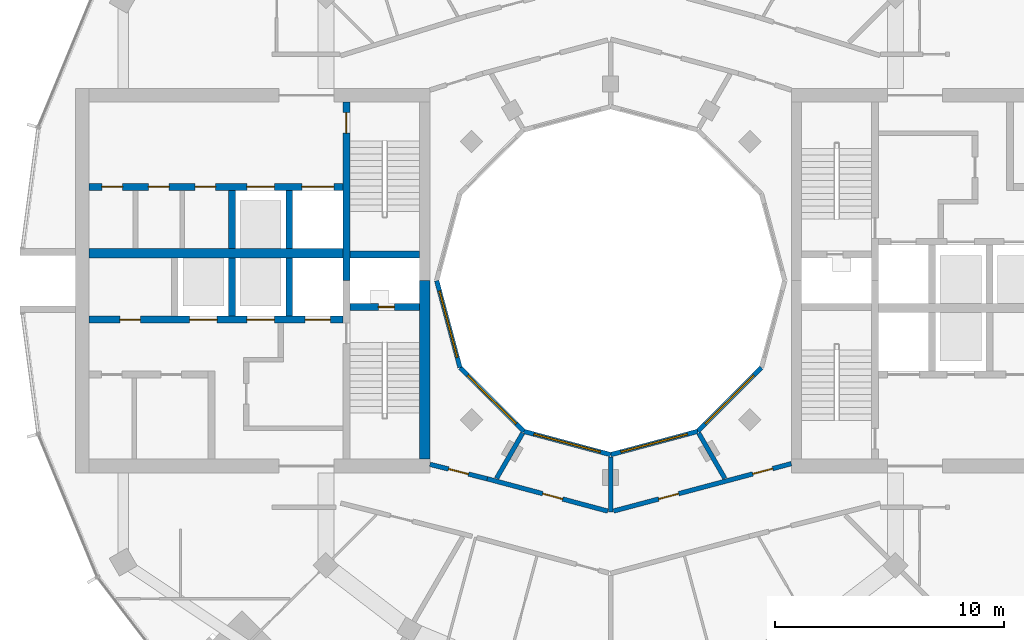
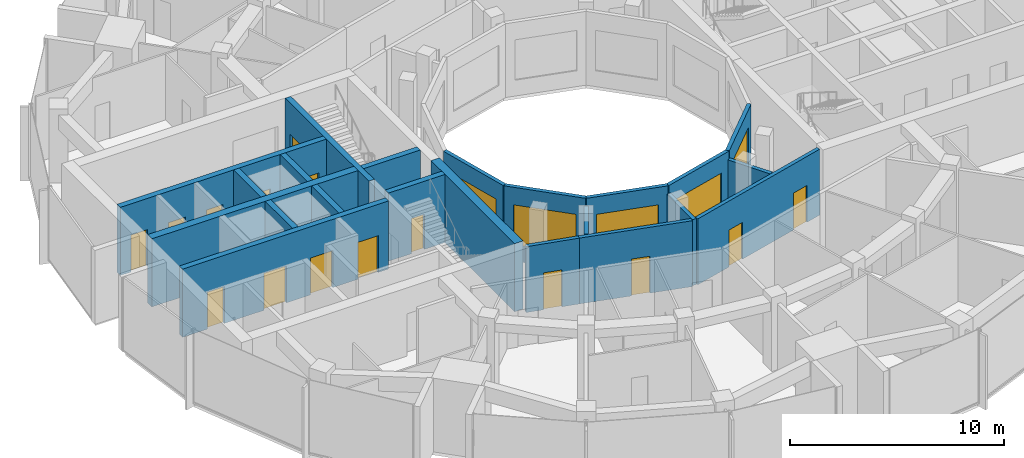
# One storey, part 9 of 15: 22 walls, 15 doors, 5 windows, 20 openings.
"""IFC4 building model written with IfcOpenShell, lengths in metres."""

from ifc_helpers import new_model, si_unit, direction, frame, frame_2d, origin, place, context, subcontext, project, spatial, rectangle, extrude, material, layer, layer_set, type_object, element, fill, save


model = new_model("IFC4")

# Units and contexts
model_context = context("Model", 3, precision=1e-05, world=origin(), true_north=direction((0.0, 1.0)))
body_context = subcontext(model_context, "Body", "Model", "MODEL_VIEW")
ifc_project = project(units=[si_unit("LENGTHUNIT", "METRE"), si_unit("AREAUNIT", "SQUARE_METRE"), si_unit("VOLUMEUNIT", "CUBIC_METRE"), si_unit("PLANEANGLEUNIT", "RADIAN"), si_unit("MASSUNIT", "GRAM", prefix="KILO")], contexts=[model_context])

# Site, building, storey
site_placement = place(None, origin())
site = spatial("IfcSite", under=ifc_project, at=site_placement, CompositionType="ELEMENT")
building_placement = place(site_placement, origin())
building = spatial("IfcBuilding", under=site, at=building_placement, Name="Torre Brocal", CompositionType="ELEMENT")
storey_placement = place(building_placement, frame((0.0, 0.0, 220.89990234375)))
storey = spatial("IfcBuildingStorey", under=building, at=storey_placement, Name="L51", CompositionType="ELEMENT", Elevation=220.89990234375)

# Wall, opening, door
ifc_material_1 = material(Name="Concrete C60", Category="concrete")
ifc_layer_1 = layer(ifc_material_1, 0.300048828125)
ifc_layer_set_1 = layer_set([ifc_layer_1], Name="Concrete C60")
wall_type_1 = type_object("IfcWallType", Name="CORE WALL 300 C60", PredefinedType="SHEAR", material=ifc_layer_set_1)
wall_1_placement = place(storey_placement, frame((68.449951171875, 82.800048828125, 0.0), z_axis=(0.0, 0.0, 1.0), x_axis=(0.0, -1.0, 0.0)))
wall_1 = element("IfcWall", 1, at=wall_1_placement, inside=storey, type_object=wall_type_1, Name="Wall CW300-60", PredefinedType="SHEAR", context=body_context, shape_type="SweptSolid", body=[
    extrude(rectangle(XDim=7.800048828125, YDim=0.300048828125, at=frame_2d((3.89990234375, 0.0))), origin(), (0.0, 0.0, 1.0), 3.880126953125),
])
opening_1_placement = place(wall_1_placement, frame((0.449951171875, 0.0, 0.0)))
opening_1 = element("IfcOpeningElement", 2, at=opening_1_placement, cuts=wall_1, Name="Opening W-D03", PredefinedType="OPENING", context=body_context, shape_type="SweptSolid", body=[
    extrude(rectangle(XDim=0.89990234375, YDim=2.10009765625, at=frame_2d((0.449951171875, 1.050048828125))), frame((0.0, 0.159912109375, 0.0), z_axis=(0.0, -1.0, 0.0), x_axis=(1.0, 0.0, 0.0)), (0.0, 0.0, 1.0), 0.320068359375),
])
ifc_material_2 = material(Name="Steel A653", Category="steel")
door_type_1 = type_object("IfcDoorType", Name="STAIR DOOR FD120 900X2100", OperationType="SINGLE_SWING_RIGHT", PredefinedType="DOOR", material=ifc_material_2)
door_1_placement = place(opening_1_placement, origin())
door_1 = element("IfcDoor", 3, at=door_1_placement, inside=storey, type_object=door_type_1, Name="Door W-D03", OperationType="SINGLE_SWING_LEFT", OverallHeight=2.10009765625, OverallWidth=0.89990234375, PredefinedType="DOOR", context=body_context, shape_type="SweptSolid", body=[
    extrude(rectangle(XDim=0.89990234375, YDim=2.10009765625, at=frame_2d((0.449951171875, 1.050048828125))), frame((0.0, 0.02490234375, 0.0), z_axis=(0.0, -1.0, 0.0), x_axis=(1.0, 0.0, 0.0)), (0.0, 0.0, 1.0), 0.050048828125),
])
fill(opening_1, door_1)

wall_2_placement = place(storey_placement, frame((71.64990234375, 73.85009765625, 0.0), z_axis=(0.0, 0.0, 1.0), x_axis=(-1.0, 0.0, 0.0)))
wall_2 = element("IfcWall", 4, at=wall_2_placement, inside=storey, type_object=wall_type_1, Name="Wall CW300-60", PredefinedType="SHEAR", context=body_context, shape_type="SweptSolid", body=[
    extrude(rectangle(XDim=3.0498046875, YDim=0.300048828125, at=frame_2d((1.52490234375, 0.0))), origin(), (0.0, 0.0, 1.0), 3.880126953125),
])
opening_2_placement = place(wall_2_placement, frame((1.10009765625, 0.0, 0.0)))
opening_2 = element("IfcOpeningElement", 5, at=opening_2_placement, cuts=wall_2, Name="Opening W-D01", PredefinedType="OPENING", context=body_context, shape_type="SweptSolid", body=[
    extrude(rectangle(XDim=0.699951171875, YDim=2.0, at=frame_2d((0.35009765625, 1.0))), frame((0.0, 0.159912109375, 0.0), z_axis=(0.0, -1.0, 0.0), x_axis=(1.0, 0.0, 0.0)), (0.0, 0.0, 1.0), 0.320068359375),
])
ifc_material_3 = material(Name="Steel A653", Category="steel")
door_type_2 = type_object("IfcDoorType", Name="RISER DOOR FD120 700X2000", OperationType="SINGLE_SWING_LEFT", PredefinedType="DOOR", material=ifc_material_3)
door_2_placement = place(opening_2_placement, frame((0.699951171875, 0.0, 0.0), z_axis=(0.0, 0.0, 1.0), x_axis=(-1.0, 0.0, 0.0)))
door_2 = element("IfcDoor", 6, at=door_2_placement, inside=storey, type_object=door_type_2, Name="Door W-D01", OperationType="SINGLE_SWING_RIGHT", OverallHeight=2.0, OverallWidth=0.699951171875, PredefinedType="DOOR", context=body_context, shape_type="SweptSolid", body=[
    extrude(rectangle(XDim=0.699951171875, YDim=2.0, at=frame_2d((0.35009765625, 1.0))), frame((0.0, 0.02490234375, 0.0), z_axis=(0.0, -1.0, 0.0), x_axis=(1.0, 0.0, 0.0)), (0.0, 0.0, 1.0), 0.050048828125),
])
fill(opening_2, door_2)

# Wall
wall_3_placement = place(storey_placement, frame((71.64990234375, 76.14990234375, 0.0), z_axis=(0.0, 0.0, 1.0), x_axis=(-1.0, 0.0, 0.0)))
element("IfcWall", 7, at=wall_3_placement, inside=storey, type_object=wall_type_1, Name="Wall CW300-60", PredefinedType="SHEAR", context=body_context, shape_type="SweptSolid", body=[
    extrude(rectangle(XDim=3.0498046875, YDim=0.300048828125, at=frame_2d((1.52490234375, 0.0))), origin(), (0.0, 0.0, 1.0), 3.880126953125),
])

# Wall, openings, doors
wall_4_placement = place(storey_placement, frame((68.300048828125, 73.300048828125, 0.0), z_axis=(0.0, 0.0, 1.0), x_axis=(-1.0, 0.0, 0.0)))
wall_4 = element("IfcWall", 8, at=wall_4_placement, inside=storey, type_object=wall_type_1, Name="Wall CW300-60", PredefinedType="SHEAR", context=body_context, shape_type="SweptSolid", body=[
    extrude(rectangle(XDim=11.10009765625, YDim=0.300048828125, at=frame_2d((5.550048828125, 0.0))), origin(), (0.0, 0.0, 1.0), 3.880126953125),
])
opening_3_placement = place(wall_4_placement, frame((0.550048828125, 0.0, 0.0)))
opening_3 = element("IfcOpeningElement", 9, at=opening_3_placement, cuts=wall_4, Name="Opening LD", PredefinedType="OPENING", context=body_context, shape_type="SweptSolid", body=[
    extrude(rectangle(XDim=1.10009765625, YDim=2.10009765625, at=frame_2d((0.550048828125, 1.050048828125))), frame((0.0, 0.159912109375, 0.0), z_axis=(0.0, -1.0, 0.0), x_axis=(1.0, 0.0, 0.0)), (0.0, 0.0, 1.0), 0.320068359375),
])
opening_4_placement = place(wall_4_placement, frame((3.0, 0.0, 0.0)))
opening_4 = element("IfcOpeningElement", 10, at=opening_4_placement, cuts=wall_4, Name="Opening LD12", PredefinedType="OPENING", context=body_context, shape_type="SweptSolid", body=[
    extrude(rectangle(XDim=1.199951171875, YDim=2.10009765625, at=frame_2d((0.60009765625, 1.050048828125))), frame((0.0, 0.159912109375, 0.0), z_axis=(0.0, -1.0, 0.0), x_axis=(1.0, 0.0, 0.0)), (0.0, 0.0, 1.0), 0.320068359375),
])
opening_5_placement = place(wall_4_placement, frame((5.5, 0.0, 0.0)))
opening_5 = element("IfcOpeningElement", 11, at=opening_5_placement, cuts=wall_4, Name="Opening LD12", PredefinedType="OPENING", context=body_context, shape_type="SweptSolid", body=[
    extrude(rectangle(XDim=1.199951171875, YDim=2.10009765625, at=frame_2d((0.60009765625, 1.050048828125))), frame((0.0, 0.159912109375, 0.0), z_axis=(0.0, -1.0, 0.0), x_axis=(1.0, 0.0, 0.0)), (0.0, 0.0, 1.0), 0.320068359375),
])
opening_6_placement = place(wall_4_placement, frame((8.85009765625, 0.0, 0.0)))
opening_6 = element("IfcOpeningElement", 12, at=opening_6_placement, cuts=wall_4, Name="Opening W-D04", PredefinedType="OPENING", context=body_context, shape_type="SweptSolid", body=[
    extrude(rectangle(XDim=0.89990234375, YDim=2.10009765625, at=frame_2d((0.449951171875, 1.050048828125))), frame((0.0, 0.159912109375, 0.0), z_axis=(0.0, -1.0, 0.0), x_axis=(1.0, 0.0, 0.0)), (0.0, 0.0, 1.0), 0.320068359375),
])
ifc_material_4 = material(Name="Stainless steel AISI 316", Category="steel")
door_type_3 = type_object("IfcDoorType", Name="LIFT LANDING DOOR 1100X2100", OperationType="DOUBLE_DOOR_SLIDING", PredefinedType="DOOR", material=ifc_material_4)
door_3_placement = place(opening_3_placement, origin())
door_3 = element("IfcDoor", 13, at=door_3_placement, inside=storey, type_object=door_type_3, Name="Door LD", OperationType="DOUBLE_DOOR_SLIDING", OverallHeight=2.10009765625, OverallWidth=1.10009765625, PredefinedType="DOOR", context=body_context, shape_type="SweptSolid", body=[
    extrude(rectangle(XDim=1.10009765625, YDim=2.10009765625, at=frame_2d((0.550048828125, 1.050048828125))), frame((0.0, 0.02490234375, 0.0), z_axis=(0.0, -1.0, 0.0), x_axis=(1.0, 0.0, 0.0)), (0.0, 0.0, 1.0), 0.050048828125),
])
fill(opening_3, door_3)
ifc_material_5 = material(Name="Stainless steel AISI 316", Category="steel")
door_type_4 = type_object("IfcDoorType", Name="LIFT LANDING DOOR 1200X2100", OperationType="DOUBLE_DOOR_SLIDING", PredefinedType="DOOR", material=ifc_material_5)
door_4_placement = place(opening_4_placement, origin())
door_4 = element("IfcDoor", 14, at=door_4_placement, inside=storey, type_object=door_type_4, Name="Door LD12", OperationType="DOUBLE_DOOR_SLIDING", OverallHeight=2.10009765625, OverallWidth=1.199951171875, PredefinedType="DOOR", context=body_context, shape_type="SweptSolid", body=[
    extrude(rectangle(XDim=1.199951171875, YDim=2.10009765625, at=frame_2d((0.60009765625, 1.050048828125))), frame((0.0, 0.02490234375, 0.0), z_axis=(0.0, -1.0, 0.0), x_axis=(1.0, 0.0, 0.0)), (0.0, 0.0, 1.0), 0.050048828125),
])
fill(opening_4, door_4)
door_5_placement = place(opening_5_placement, origin())
door_5 = element("IfcDoor", 15, at=door_5_placement, inside=storey, type_object=door_type_4, Name="Door LD12", OperationType="DOUBLE_DOOR_SLIDING", OverallHeight=2.10009765625, OverallWidth=1.199951171875, PredefinedType="DOOR", context=body_context, shape_type="SweptSolid", body=[
    extrude(rectangle(XDim=1.199951171875, YDim=2.10009765625, at=frame_2d((0.60009765625, 1.050048828125))), frame((0.0, 0.02490234375, 0.0), z_axis=(0.0, -1.0, 0.0), x_axis=(1.0, 0.0, 0.0)), (0.0, 0.0, 1.0), 0.050048828125),
])
fill(opening_5, door_5)
ifc_material_6 = material(Name="Steel A653", Category="steel")
door_type_5 = type_object("IfcDoorType", Name="ROOM DOOR FD30S 900X2100", OperationType="SINGLE_SWING_LEFT", PredefinedType="DOOR", material=ifc_material_6)
door_6_placement = place(opening_6_placement, frame((0.89990234375, 0.0, 0.0), z_axis=(0.0, 0.0, 1.0), x_axis=(-1.0, 0.0, 0.0)))
door_6 = element("IfcDoor", 16, at=door_6_placement, inside=storey, type_object=door_type_5, Name="Door W-D04", OperationType="SINGLE_SWING_LEFT", OverallHeight=2.10009765625, OverallWidth=0.89990234375, PredefinedType="DOOR", context=body_context, shape_type="SweptSolid", body=[
    extrude(rectangle(XDim=0.89990234375, YDim=2.10009765625, at=frame_2d((0.449951171875, 1.050048828125))), frame((0.0, 0.02490234375, 0.0), z_axis=(0.0, -1.0, 0.0), x_axis=(1.0, 0.0, 0.0)), (0.0, 0.0, 1.0), 0.050048828125),
])
fill(opening_6, door_6)

wall_5_placement = place(storey_placement, frame((68.300048828125, 79.10009765625, 0.0), z_axis=(0.0, 0.0, 1.0), x_axis=(-1.0, 0.0, 0.0)))
wall_5 = element("IfcWall", 17, at=wall_5_placement, inside=storey, type_object=wall_type_1, Name="Wall CW300-60", PredefinedType="SHEAR", context=body_context, shape_type="SweptSolid", body=[
    extrude(rectangle(XDim=11.10009765625, YDim=0.300048828125, at=frame_2d((5.550048828125, 0.0))), origin(), (0.0, 0.0, 1.0), 3.880126953125),
])
opening_7_placement = place(wall_5_placement, frame((0.39990234375, 0.0, 0.0)))
opening_7 = element("IfcOpeningElement", 18, at=opening_7_placement, cuts=wall_5, Name="Opening LD14", PredefinedType="OPENING", context=body_context, shape_type="SweptSolid", body=[
    extrude(rectangle(XDim=1.39990234375, YDim=2.10009765625, at=frame_2d((0.699951171875, 1.050048828125))), frame((0.0, 0.159912109375, 0.0), z_axis=(0.0, -1.0, 0.0), x_axis=(1.0, 0.0, 0.0)), (0.0, 0.0, 1.0), 0.320068359375),
])
opening_8_placement = place(wall_5_placement, frame((3.0, 0.0, 0.0)))
opening_8 = element("IfcOpeningElement", 19, at=opening_8_placement, cuts=wall_5, Name="Opening LD12", PredefinedType="OPENING", context=body_context, shape_type="SweptSolid", body=[
    extrude(rectangle(XDim=1.199951171875, YDim=2.10009765625, at=frame_2d((0.60009765625, 1.050048828125))), frame((0.0, 0.159912109375, 0.0), z_axis=(0.0, -1.0, 0.0), x_axis=(1.0, 0.0, 0.0)), (0.0, 0.0, 1.0), 0.320068359375),
])
opening_9_placement = place(wall_5_placement, frame((5.566650390625, 0.0, 0.0)))
opening_9 = element("IfcOpeningElement", 20, at=opening_9_placement, cuts=wall_5, Name="Opening W-D05", PredefinedType="OPENING", context=body_context, shape_type="SweptSolid", body=[
    extrude(rectangle(XDim=0.89990234375, YDim=2.10009765625, at=frame_2d((0.449951171875, 1.050048828125))), frame((0.0, 0.159912109375, 0.0), z_axis=(0.0, -1.0, 0.0), x_axis=(1.0, 0.0, 0.0)), (0.0, 0.0, 1.0), 0.320068359375),
])
opening_10_placement = place(wall_5_placement, frame((7.60009765625, 0.0, 0.0)))
opening_10 = element("IfcOpeningElement", 21, at=opening_10_placement, cuts=wall_5, Name="Opening W-D06", PredefinedType="OPENING", context=body_context, shape_type="SweptSolid", body=[
    extrude(rectangle(XDim=0.89990234375, YDim=2.10009765625, at=frame_2d((0.449951171875, 1.050048828125))), frame((0.0, 0.159912109375, 0.0), z_axis=(0.0, -1.0, 0.0), x_axis=(1.0, 0.0, 0.0)), (0.0, 0.0, 1.0), 0.320068359375),
])
opening_11_placement = place(wall_5_placement, frame((9.63330078125, 0.0, 0.0)))
opening_11 = element("IfcOpeningElement", 22, at=opening_11_placement, cuts=wall_5, Name="Opening W-D07", PredefinedType="OPENING", context=body_context, shape_type="SweptSolid", body=[
    extrude(rectangle(XDim=0.89990234375, YDim=2.10009765625, at=frame_2d((0.449951171875, 1.050048828125))), frame((0.0, 0.159912109375, 0.0), z_axis=(0.0, -1.0, 0.0), x_axis=(1.0, 0.0, 0.0)), (0.0, 0.0, 1.0), 0.320068359375),
])
door_7_placement = place(opening_8_placement, origin())
door_7 = element("IfcDoor", 23, at=door_7_placement, inside=storey, type_object=door_type_4, Name="Door LD12", OperationType="DOUBLE_DOOR_SLIDING", OverallHeight=2.10009765625, OverallWidth=1.199951171875, PredefinedType="DOOR", context=body_context, shape_type="SweptSolid", body=[
    extrude(rectangle(XDim=1.199951171875, YDim=2.10009765625, at=frame_2d((0.60009765625, 1.050048828125))), frame((0.0, 0.02490234375, 0.0), z_axis=(0.0, -1.0, 0.0), x_axis=(1.0, 0.0, 0.0)), (0.0, 0.0, 1.0), 0.050048828125),
])
fill(opening_8, door_7)
ifc_material_7 = material(Name="Stainless steel AISI 316", Category="steel")
door_type_6 = type_object("IfcDoorType", Name="LIFT LANDING DOOR 1400X2100", OperationType="DOUBLE_DOOR_SLIDING", PredefinedType="DOOR", material=ifc_material_7)
door_8_placement = place(opening_7_placement, origin())
door_8 = element("IfcDoor", 24, at=door_8_placement, inside=storey, type_object=door_type_6, Name="Door LD14", OperationType="DOUBLE_DOOR_SLIDING", OverallHeight=2.10009765625, OverallWidth=1.39990234375, PredefinedType="DOOR", context=body_context, shape_type="SweptSolid", body=[
    extrude(rectangle(XDim=1.39990234375, YDim=2.10009765625, at=frame_2d((0.699951171875, 1.050048828125))), frame((0.0, 0.02490234375, 0.0), z_axis=(0.0, -1.0, 0.0), x_axis=(1.0, 0.0, 0.0)), (0.0, 0.0, 1.0), 0.050048828125),
])
fill(opening_7, door_8)
door_9_placement = place(opening_9_placement, origin())
door_9 = element("IfcDoor", 25, at=door_9_placement, inside=storey, type_object=door_type_5, Name="Door W-D05", OperationType="SINGLE_SWING_RIGHT", OverallHeight=2.10009765625, OverallWidth=0.89990234375, PredefinedType="DOOR", context=body_context, shape_type="SweptSolid", body=[
    extrude(rectangle(XDim=0.89990234375, YDim=2.10009765625, at=frame_2d((0.449951171875, 1.050048828125))), frame((0.0, 0.02490234375, 0.0), z_axis=(0.0, -1.0, 0.0), x_axis=(1.0, 0.0, 0.0)), (0.0, 0.0, 1.0), 0.050048828125),
])
fill(opening_9, door_9)
door_10_placement = place(opening_10_placement, origin())
door_10 = element("IfcDoor", 26, at=door_10_placement, inside=storey, type_object=door_type_5, Name="Door W-D06", OperationType="SINGLE_SWING_RIGHT", OverallHeight=2.10009765625, OverallWidth=0.89990234375, PredefinedType="DOOR", context=body_context, shape_type="SweptSolid", body=[
    extrude(rectangle(XDim=0.89990234375, YDim=2.10009765625, at=frame_2d((0.449951171875, 1.050048828125))), frame((0.0, 0.02490234375, 0.0), z_axis=(0.0, -1.0, 0.0), x_axis=(1.0, 0.0, 0.0)), (0.0, 0.0, 1.0), 0.050048828125),
])
fill(opening_10, door_10)
door_11_placement = place(opening_11_placement, origin())
door_11 = element("IfcDoor", 27, at=door_11_placement, inside=storey, type_object=door_type_5, Name="Door W-D07", OperationType="SINGLE_SWING_LEFT", OverallHeight=2.10009765625, OverallWidth=0.89990234375, PredefinedType="DOOR", context=body_context, shape_type="SweptSolid", body=[
    extrude(rectangle(XDim=0.89990234375, YDim=2.10009765625, at=frame_2d((0.449951171875, 1.050048828125))), frame((0.0, 0.02490234375, 0.0), z_axis=(0.0, -1.0, 0.0), x_axis=(1.0, 0.0, 0.0)), (0.0, 0.0, 1.0), 0.050048828125),
])
fill(opening_11, door_11)

# Walls
for number, where, z_axis, x_axis, name in (
    (28, (65.949951171875, 76.0, 0.0), (0.0, 0.0, 1.0), (0.0, -1.0, 0.0), "Wall CW300-60"),
    (29, (63.449951171875, 76.0, 0.0), (0.0, 0.0, 1.0), (0.0, -1.0, 0.0), "Wall CW300-60"),
    (30, (65.949951171875, 78.949951171875, 0.0), (0.0, 0.0, 1.0), (0.0, -1.0, 0.0), "Wall CW300-60"),
    (31, (63.449951171875, 78.949951171875, 0.0), (0.0, 0.0, 1.0), (0.0, -1.0, 0.0), "Wall CW300-60"),
):
    element("IfcWall", number, at=place(storey_placement, frame(where, z_axis=z_axis, x_axis=x_axis)), inside=storey, type_object=wall_type_1, Name=name, PredefinedType="SHEAR", context=body_context, shape_type="SweptSolid", body=[
        extrude(rectangle(XDim=2.550048828125, YDim=0.300048828125, at=frame_2d((1.27490234375, 0.0))), origin(), (0.0, 0.0, 1.0), 3.880126953125),
    ])
ifc_material_8 = material(Name="Concrete C60", Category="concrete")
ifc_layer_2 = layer(ifc_material_8, 0.39990234375)
ifc_layer_set_2 = layer_set([ifc_layer_2], Name="Concrete C60")
wall_type_2 = type_object("IfcWallType", Name="CORE WALL 400 C60", PredefinedType="SHEAR", material=ifc_layer_set_2)
wall_6_placement = place(storey_placement, frame((68.300048828125, 76.199951171875, 0.0), z_axis=(0.0, 0.0, 1.0), x_axis=(-1.0, 0.0, 0.0)))
element("IfcWall", 32, at=wall_6_placement, inside=storey, type_object=wall_type_2, Name="Wall CW400-60", PredefinedType="SHEAR", context=body_context, shape_type="SweptSolid", body=[
    extrude(rectangle(XDim=11.10009765625, YDim=0.39990234375, at=frame_2d((5.550048828125, 0.0))), origin(), (0.0, 0.0, 1.0), 3.880126953125),
])
ifc_material_9 = material(Name="Concrete C60", Category="concrete")
ifc_layer_3 = layer(ifc_material_9, 0.449951171875)
ifc_layer_set_3 = layer_set([ifc_layer_3], Name="Concrete C60")
wall_type_3 = type_object("IfcWallType", Name="CORE WALL 450 C60", PredefinedType="SHEAR", material=ifc_layer_set_3)
wall_7_placement = place(storey_placement, frame((71.875, 75.0, 0.0), z_axis=(0.0, 0.0, 1.0), x_axis=(0.0, -1.0, 0.0)))
element("IfcWall", 33, at=wall_7_placement, inside=storey, type_object=wall_type_3, Name="Wall CW450-60", PredefinedType="SHEAR", context=body_context, shape_type="SweptSolid", body=[
    extrude(rectangle(XDim=7.800048828125, YDim=0.449951171875, at=frame_2d((3.89990234375, 0.0))), origin(), (0.0, 0.0, 1.0), 3.880126953125),
])

# Wall, opening, door
ifc_material_10 = material(Name="Gypsum board", Category="Gypsum")
ifc_layer_4 = layer(ifc_material_10, 0.199951171875)
ifc_layer_set_4 = layer_set([ifc_layer_4], Name="Gypsum board")
wall_type_4 = type_object("IfcWallType", Name="PARTITION 200 EI60", PredefinedType="PARTITIONING", material=ifc_layer_set_4)
wall_8_placement = place(storey_placement, frame((72.10009765625, 66.97509765625, 0.0), z_axis=(0.0, 0.0, 1.0), x_axis=(0.969471314457, -0.245204752086, 0.0)))
wall_8 = element("IfcWall", 34, at=wall_8_placement, inside=storey, type_object=wall_type_4, Name="CORRIDOR WALL", PredefinedType="PARTITIONING", context=body_context, shape_type="SweptSolid", body=[
    extrude(rectangle(XDim=2.581787109375, YDim=0.199951171875, at=frame_2d((1.291015625, 0.0))), origin(), (0.0, 0.0, 1.0), 3.75),
])
opening_12_placement = place(wall_8_placement, frame((0.8408203125, 0.0, 0.0)))
opening_12 = element("IfcOpeningElement", 35, at=opening_12_placement, cuts=wall_8, Name="Opening B02-D41", PredefinedType="OPENING", context=body_context, shape_type="SweptSolid", body=[
    extrude(rectangle(XDim=0.89990234375, YDim=2.10009765625, at=frame_2d((0.449951171875, 1.050048828125))), frame((0.0, 0.10986328125, 0.0), z_axis=(0.0, -1.0, 0.0), x_axis=(1.0, 0.0, 0.0)), (0.0, 0.0, 1.0), 0.219970703125),
])
ifc_material_11 = material(Name="Timber", Category="wood")
door_type_7 = type_object("IfcDoorType", Name="ROOM DOOR 900X2100", OperationType="SINGLE_SWING_LEFT", PredefinedType="DOOR", material=ifc_material_11)
door_12_placement = place(opening_12_placement, origin())
door_12 = element("IfcDoor", 36, at=door_12_placement, inside=storey, type_object=door_type_7, Name="B02-D41", OperationType="SINGLE_SWING_LEFT", OverallHeight=2.10009765625, OverallWidth=0.89990234375, PredefinedType="DOOR", context=body_context, shape_type="SweptSolid", body=[
    extrude(rectangle(XDim=0.89990234375, YDim=2.10009765625, at=frame_2d((0.449951171875, 1.050048828125))), frame((0.0, 0.02490234375, 0.0), z_axis=(0.0, -1.0, 0.0), x_axis=(1.0, 0.0, 0.0)), (0.0, 0.0, 1.0), 0.050048828125),
])
fill(opening_12, door_12)

wall_9_placement = place(storey_placement, frame((74.60302734375, 66.342041015625, 0.0), z_axis=(0.0, 0.0, 1.0), x_axis=(0.965920893652, -0.258837453254, 0.0)))
wall_9 = element("IfcWall", 37, at=wall_9_placement, inside=storey, type_object=wall_type_4, Name="CORRIDOR WALL", PredefinedType="PARTITIONING", context=body_context, shape_type="SweptSolid", body=[
    extrude(rectangle(XDim=5.45751953125, YDim=0.199951171875, at=frame_2d((2.728759765625, 0.0))), origin(), (0.0, 0.0, 1.0), 3.75),
])
opening_13_placement = place(wall_9_placement, frame((2.512451171875, 0.0, 0.0)))
opening_13 = element("IfcOpeningElement", 38, at=opening_13_placement, cuts=wall_9, Name="Opening B02-D40", PredefinedType="OPENING", context=body_context, shape_type="SweptSolid", body=[
    extrude(rectangle(XDim=0.89990234375, YDim=2.10009765625, at=frame_2d((0.449951171875, 1.050048828125))), frame((0.0, 0.10986328125, 0.0), z_axis=(0.0, -1.0, 0.0), x_axis=(1.0, 0.0, 0.0)), (0.0, 0.0, 1.0), 0.219970703125),
])
door_13_placement = place(opening_13_placement, origin())
door_13 = element("IfcDoor", 39, at=door_13_placement, inside=storey, type_object=door_type_7, Name="B02-D40", OperationType="SINGLE_SWING_LEFT", OverallHeight=2.10009765625, OverallWidth=0.89990234375, PredefinedType="DOOR", context=body_context, shape_type="SweptSolid", body=[
    extrude(rectangle(XDim=0.89990234375, YDim=2.10009765625, at=frame_2d((0.449951171875, 1.050048828125))), frame((0.0, 0.02490234375, 0.0), z_axis=(0.0, -1.0, 0.0), x_axis=(1.0, 0.0, 0.0)), (0.0, 0.0, 1.0), 0.050048828125),
])
fill(opening_13, door_13)

# Wall
wall_10_placement = place(storey_placement, frame((75.013671875, 66.3623046875, 0.0), z_axis=(0.0, 0.0, 1.0), x_axis=(0.500143511652, 0.865942531438, 0.0)))
element("IfcWall", 40, at=wall_10_placement, inside=storey, type_object=wall_type_4, Name="SERVICE ROOM WALL", PredefinedType="PARTITIONING", context=body_context, shape_type="SweptSolid", body=[
    extrude(rectangle(XDim=2.275146484375, YDim=0.199951171875, at=frame_2d((1.1376953125, 0.0))), origin(), (0.0, 0.0, 1.0), 3.75),
])

# Wall, openings, doors
wall_11_placement = place(storey_placement, frame((80.125, 64.931640625, 0.0), z_axis=(0.0, 0.0, 1.0), x_axis=(0.966236955806, 0.257655089674, 0.0)))
wall_11 = element("IfcWall", 41, at=wall_11_placement, inside=storey, type_object=wall_type_4, Name="CORRIDOR WALL", PredefinedType="PARTITIONING", context=body_context, shape_type="SweptSolid", body=[
    extrude(rectangle(XDim=8.0390625, YDim=0.199951171875, at=frame_2d((4.01953125, 0.0))), origin(), (0.0, 0.0, 1.0), 3.75),
])
opening_14_placement = place(wall_11_placement, frame((6.298095703125, 0.0, 0.0)))
opening_14 = element("IfcOpeningElement", 42, at=opening_14_placement, cuts=wall_11, Name="Opening B02-D38", PredefinedType="OPENING", context=body_context, shape_type="SweptSolid", body=[
    extrude(rectangle(XDim=0.89990234375, YDim=2.10009765625, at=frame_2d((0.449951171875, 1.050048828125))), frame((0.0, 0.10986328125, 0.0), z_axis=(0.0, -1.0, 0.0), x_axis=(1.0, 0.0, 0.0)), (0.0, 0.0, 1.0), 0.219970703125),
])
opening_15_placement = place(wall_11_placement, frame((2.044921875, 0.0, 0.0)))
opening_15 = element("IfcOpeningElement", 43, at=opening_15_placement, cuts=wall_11, Name="Opening B02-D39", PredefinedType="OPENING", context=body_context, shape_type="SweptSolid", body=[
    extrude(rectangle(XDim=0.89990234375, YDim=2.10009765625, at=frame_2d((0.449951171875, 1.050048828125))), frame((0.0, 0.10986328125, 0.0), z_axis=(0.0, -1.0, 0.0), x_axis=(1.0, 0.0, 0.0)), (0.0, 0.0, 1.0), 0.219970703125),
])
door_14_placement = place(opening_14_placement, origin())
door_14 = element("IfcDoor", 44, at=door_14_placement, inside=storey, type_object=door_type_7, Name="B02-D38", OperationType="SINGLE_SWING_RIGHT", OverallHeight=2.10009765625, OverallWidth=0.89990234375, PredefinedType="DOOR", context=body_context, shape_type="SweptSolid", body=[
    extrude(rectangle(XDim=0.89990234375, YDim=2.10009765625, at=frame_2d((0.449951171875, 1.050048828125))), frame((0.0, 0.02490234375, 0.0), z_axis=(0.0, -1.0, 0.0), x_axis=(1.0, 0.0, 0.0)), (0.0, 0.0, 1.0), 0.050048828125),
])
fill(opening_14, door_14)
door_15_placement = place(opening_15_placement, origin())
door_15 = element("IfcDoor", 45, at=door_15_placement, inside=storey, type_object=door_type_7, Name="B02-D39", OperationType="SINGLE_SWING_RIGHT", OverallHeight=2.10009765625, OverallWidth=0.89990234375, PredefinedType="DOOR", context=body_context, shape_type="SweptSolid", body=[
    extrude(rectangle(XDim=0.89990234375, YDim=2.10009765625, at=frame_2d((0.449951171875, 1.050048828125))), frame((0.0, 0.02490234375, 0.0), z_axis=(0.0, -1.0, 0.0), x_axis=(1.0, 0.0, 0.0)), (0.0, 0.0, 1.0), 0.050048828125),
])
fill(opening_15, door_15)

# Walls
wall_12_placement = place(storey_placement, frame((80.0, 64.89599609375, 0.0), z_axis=(0.0, 0.0, 1.0), x_axis=(0.0, 1.0, 0.0)))
element("IfcWall", 46, at=wall_12_placement, inside=storey, type_object=wall_type_4, Name="SERVICE ROOM WALL", PredefinedType="PARTITIONING", context=body_context, shape_type="SweptSolid", body=[
    extrude(rectangle(XDim=2.405029296875, YDim=0.199951171875, at=frame_2d((1.20263671875, 0.0))), origin(), (0.0, 0.0, 1.0), 3.75),
])
wall_13_placement = place(storey_placement, frame((83.849609375, 68.333251953125, 0.0), z_axis=(0.0, 0.0, 1.0), x_axis=(0.500080019051, -0.865979199835, 0.0)))
element("IfcWall", 47, at=wall_13_placement, inside=storey, type_object=wall_type_4, Name="SERVICE ROOM WALL", PredefinedType="PARTITIONING", context=body_context, shape_type="SweptSolid", body=[
    extrude(rectangle(XDim=2.285400390625, YDim=0.199951171875, at=frame_2d((1.142578125, 0.0))), origin(), (0.0, 0.0, 1.0), 3.75),
])

# Wall, opening, window
ifc_material_12 = material(Name="Concrete C40", Category="concrete")
ifc_layer_5 = layer(ifc_material_12, 0.199951171875)
ifc_layer_set_5 = layer_set([ifc_layer_5], Name="Concrete C40")
wall_type_5 = type_object("IfcWallType", Name="WELL FACADE WALL 200", PredefinedType="NOTDEFINED", material=ifc_layer_set_5)
wall_14_placement = place(storey_placement, frame((72.396484375, 75.0, 0.0), z_axis=(0.0, 0.0, 1.0), x_axis=(0.258789828301, -0.965933654434, 0.0)))
wall_14 = element("IfcWall", 48, at=wall_14_placement, inside=storey, type_object=wall_type_5, Name="WELL FACADE WALL", PredefinedType="NOTDEFINED", context=body_context, shape_type="SweptSolid", body=[
    extrude(rectangle(XDim=3.935791015625, YDim=0.199951171875, at=frame_2d((1.9677734375, 0.0))), origin(), (0.0, 0.0, 1.0), 4.2001953125),
])
opening_16_placement = place(wall_14_placement, frame((0.468017578125, 0.0, 0.89990234375)))
opening_16 = element("IfcOpeningElement", 49, at=opening_16_placement, cuts=wall_14, Name="Opening W1", PredefinedType="OPENING", context=body_context, shape_type="SweptSolid", body=[
    extrude(rectangle(XDim=3.0, YDim=2.300048828125, at=frame_2d((1.5, 1.14990234375))), frame((0.0, 0.10986328125, 0.0), z_axis=(0.0, -1.0, 0.0), x_axis=(1.0, 0.0, 0.0)), (0.0, 0.0, 1.0), 0.219970703125),
])
ifc_material_13 = material(Name="Aluminium and glass", Category="aluminium")
window_type = type_object("IfcWindowType", Name="WELL WINDOW 3000X2300", PartitioningType="SINGLE_PANEL", PredefinedType="WINDOW", material=ifc_material_13)
window_1_placement = place(opening_16_placement, origin())
window_1 = element("IfcWindow", 50, at=window_1_placement, inside=storey, type_object=window_type, Name="WELL WINDOW 3000X2300", OverallHeight=2.300048828125, OverallWidth=3.0, PartitioningType="SINGLE_PANEL", PredefinedType="WINDOW", context=body_context, shape_type="SweptSolid", body=[
    extrude(rectangle(XDim=3.0, YDim=2.300048828125, at=frame_2d((1.5, 1.14990234375))), frame((0.0, 0.030029296875, 0.0), z_axis=(0.0, -1.0, 0.0), x_axis=(1.0, 0.0, 0.0)), (0.0, 0.0, 1.0), 0.06005859375),
])
fill(opening_16, window_1)

wall_15_placement = place(storey_placement, frame((73.4150390625, 71.1982421875, 0.0), z_axis=(0.0, 0.0, 1.0), x_axis=(0.707106781187, -0.707106781187, 0.0)))
wall_15 = element("IfcWall", 51, at=wall_15_placement, inside=storey, type_object=wall_type_5, Name="WELL FACADE WALL", PredefinedType="NOTDEFINED", context=body_context, shape_type="SweptSolid", body=[
    extrude(rectangle(XDim=3.93603515625, YDim=0.199951171875, at=frame_2d((1.968017578125, 0.0))), origin(), (0.0, 0.0, 1.0), 4.2001953125),
])
opening_17_placement = place(wall_15_placement, frame((0.468017578125, 0.0, 0.89990234375)))
opening_17 = element("IfcOpeningElement", 52, at=opening_17_placement, cuts=wall_15, Name="Opening W1", PredefinedType="OPENING", context=body_context, shape_type="SweptSolid", body=[
    extrude(rectangle(XDim=3.0, YDim=2.300048828125, at=frame_2d((1.5, 1.14990234375))), frame((0.0, 0.10986328125, 0.0), z_axis=(0.0, -1.0, 0.0), x_axis=(1.0, 0.0, 0.0)), (0.0, 0.0, 1.0), 0.219970703125),
])
window_2_placement = place(opening_17_placement, origin())
window_2 = element("IfcWindow", 53, at=window_2_placement, inside=storey, type_object=window_type, Name="WELL WINDOW 3000X2300", OverallHeight=2.300048828125, OverallWidth=3.0, PartitioningType="SINGLE_PANEL", PredefinedType="WINDOW", context=body_context, shape_type="SweptSolid", body=[
    extrude(rectangle(XDim=3.0, YDim=2.300048828125, at=frame_2d((1.5, 1.14990234375))), frame((0.0, 0.030029296875, 0.0), z_axis=(0.0, -1.0, 0.0), x_axis=(1.0, 0.0, 0.0)), (0.0, 0.0, 1.0), 0.06005859375),
])
fill(opening_17, window_2)

wall_16_placement = place(storey_placement, frame((76.1982421875, 68.4150390625, 0.0), z_axis=(0.0, 0.0, 1.0), x_axis=(0.965933654434, -0.258789828301, 0.0)))
wall_16 = element("IfcWall", 54, at=wall_16_placement, inside=storey, type_object=wall_type_5, Name="WELL FACADE WALL", PredefinedType="NOTDEFINED", context=body_context, shape_type="SweptSolid", body=[
    extrude(rectangle(XDim=3.935791015625, YDim=0.199951171875, at=frame_2d((1.9677734375, 0.0))), origin(), (0.0, 0.0, 1.0), 4.2001953125),
])
opening_18_placement = place(wall_16_placement, frame((0.468017578125, 0.0, 0.89990234375)))
opening_18 = element("IfcOpeningElement", 55, at=opening_18_placement, cuts=wall_16, Name="Opening W1", PredefinedType="OPENING", context=body_context, shape_type="SweptSolid", body=[
    extrude(rectangle(XDim=3.0, YDim=2.300048828125, at=frame_2d((1.5, 1.14990234375))), frame((0.0, 0.10986328125, 0.0), z_axis=(0.0, -1.0, 0.0), x_axis=(1.0, 0.0, 0.0)), (0.0, 0.0, 1.0), 0.219970703125),
])
window_3_placement = place(opening_18_placement, origin())
window_3 = element("IfcWindow", 56, at=window_3_placement, inside=storey, type_object=window_type, Name="WELL WINDOW 3000X2300", OverallHeight=2.300048828125, OverallWidth=3.0, PartitioningType="SINGLE_PANEL", PredefinedType="WINDOW", context=body_context, shape_type="SweptSolid", body=[
    extrude(rectangle(XDim=3.0, YDim=2.300048828125, at=frame_2d((1.5, 1.14990234375))), frame((0.0, 0.030029296875, 0.0), z_axis=(0.0, -1.0, 0.0), x_axis=(1.0, 0.0, 0.0)), (0.0, 0.0, 1.0), 0.06005859375),
])
fill(opening_18, window_3)

wall_17_placement = place(storey_placement, frame((80.0, 67.396484375, 0.0), z_axis=(0.0, 0.0, 1.0), x_axis=(0.965933654434, 0.258789828301, 0.0)))
wall_17 = element("IfcWall", 57, at=wall_17_placement, inside=storey, type_object=wall_type_5, Name="WELL FACADE WALL", PredefinedType="NOTDEFINED", context=body_context, shape_type="SweptSolid", body=[
    extrude(rectangle(XDim=3.935791015625, YDim=0.199951171875, at=frame_2d((1.9677734375, 0.0))), origin(), (0.0, 0.0, 1.0), 4.2001953125),
])
opening_19_placement = place(wall_17_placement, frame((0.468017578125, 0.0, 0.89990234375)))
opening_19 = element("IfcOpeningElement", 58, at=opening_19_placement, cuts=wall_17, Name="Opening W1", PredefinedType="OPENING", context=body_context, shape_type="SweptSolid", body=[
    extrude(rectangle(XDim=3.0, YDim=2.300048828125, at=frame_2d((1.5, 1.14990234375))), frame((0.0, 0.10986328125, 0.0), z_axis=(0.0, -1.0, 0.0), x_axis=(1.0, 0.0, 0.0)), (0.0, 0.0, 1.0), 0.219970703125),
])
window_4_placement = place(opening_19_placement, origin())
window_4 = element("IfcWindow", 59, at=window_4_placement, inside=storey, type_object=window_type, Name="WELL WINDOW 3000X2300", OverallHeight=2.300048828125, OverallWidth=3.0, PartitioningType="SINGLE_PANEL", PredefinedType="WINDOW", context=body_context, shape_type="SweptSolid", body=[
    extrude(rectangle(XDim=3.0, YDim=2.300048828125, at=frame_2d((1.5, 1.14990234375))), frame((0.0, 0.030029296875, 0.0), z_axis=(0.0, -1.0, 0.0), x_axis=(1.0, 0.0, 0.0)), (0.0, 0.0, 1.0), 0.06005859375),
])
fill(opening_19, window_4)

wall_18_placement = place(storey_placement, frame((83.8017578125, 68.4150390625, 0.0), z_axis=(0.0, 0.0, 1.0), x_axis=(0.707106781187, 0.707106781187, 0.0)))
wall_18 = element("IfcWall", 60, at=wall_18_placement, inside=storey, type_object=wall_type_5, Name="WELL FACADE WALL", PredefinedType="NOTDEFINED", context=body_context, shape_type="SweptSolid", body=[
    extrude(rectangle(XDim=3.93603515625, YDim=0.199951171875, at=frame_2d((1.968017578125, 0.0))), origin(), (0.0, 0.0, 1.0), 4.2001953125),
])
opening_20_placement = place(wall_18_placement, frame((0.468017578125, 0.0, 0.89990234375)))
opening_20 = element("IfcOpeningElement", 61, at=opening_20_placement, cuts=wall_18, Name="Opening W1", PredefinedType="OPENING", context=body_context, shape_type="SweptSolid", body=[
    extrude(rectangle(XDim=3.0, YDim=2.300048828125, at=frame_2d((1.5, 1.14990234375))), frame((0.0, 0.10986328125, 0.0), z_axis=(0.0, -1.0, 0.0), x_axis=(1.0, 0.0, 0.0)), (0.0, 0.0, 1.0), 0.219970703125),
])
window_5_placement = place(opening_20_placement, origin())
window_5 = element("IfcWindow", 62, at=window_5_placement, inside=storey, type_object=window_type, Name="WELL WINDOW 3000X2300", OverallHeight=2.300048828125, OverallWidth=3.0, PartitioningType="SINGLE_PANEL", PredefinedType="WINDOW", context=body_context, shape_type="SweptSolid", body=[
    extrude(rectangle(XDim=3.0, YDim=2.300048828125, at=frame_2d((1.5, 1.14990234375))), frame((0.0, 0.030029296875, 0.0), z_axis=(0.0, -1.0, 0.0), x_axis=(1.0, 0.0, 0.0)), (0.0, 0.0, 1.0), 0.06005859375),
])
fill(opening_20, window_5)

save(model, "model.ifc")
